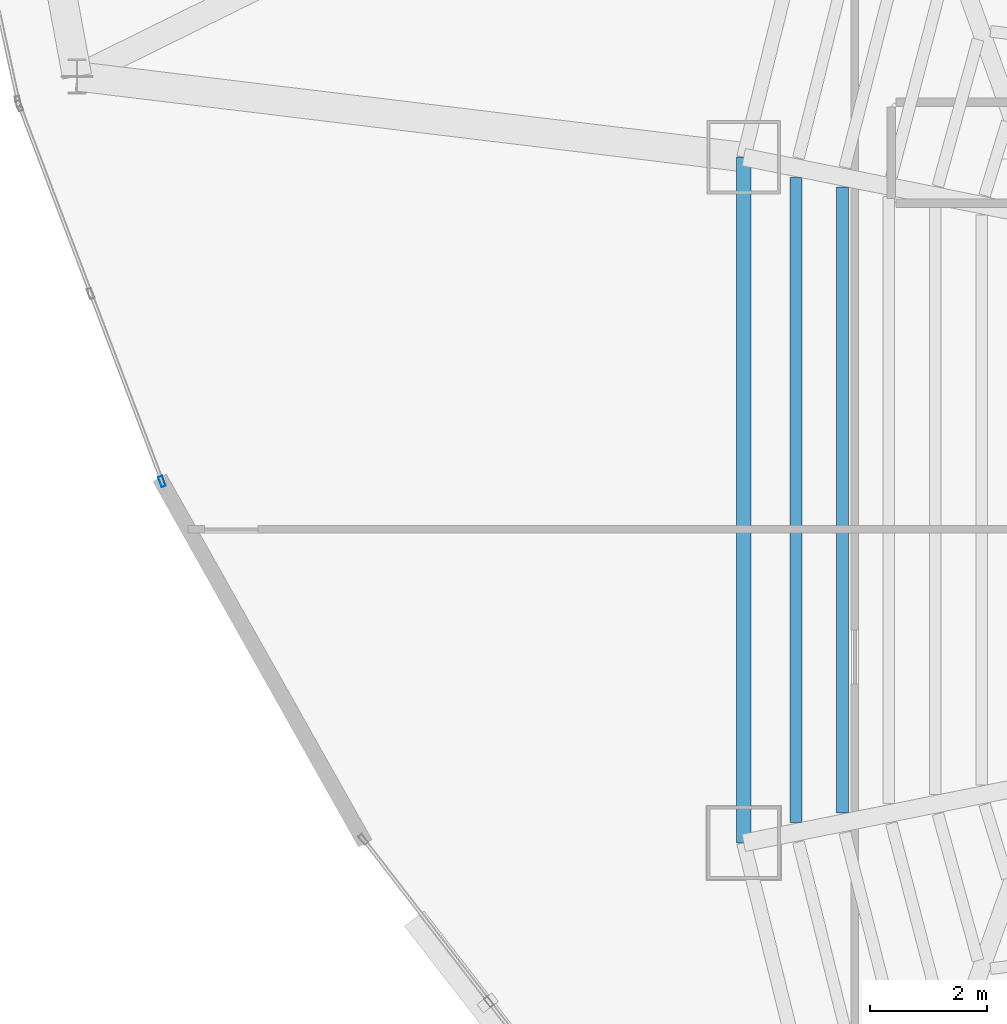
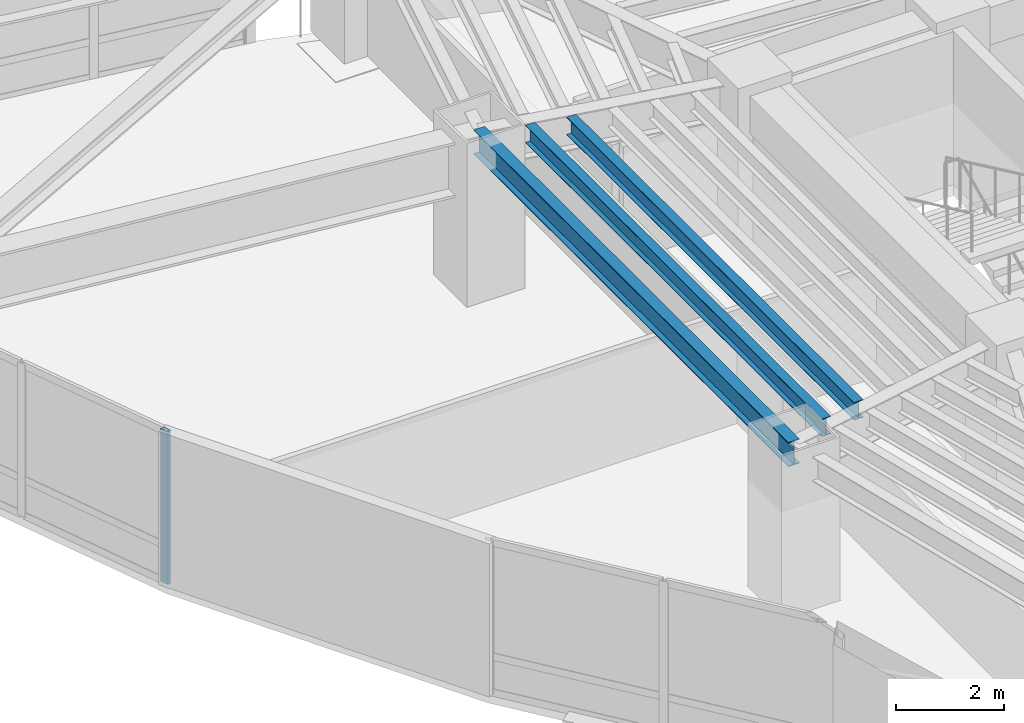
# One storey, part 4 of 23: 3 beams, 1 member, 1 element without a shape of its own.
"""IFC4 building model written with IfcOpenShell, lengths in metres."""

from ifc_helpers import new_model, si_unit, direction, frame, origin, origin_2d, place, context, subcontext, project, spatial, hollow_rectangle, i_section, extrude, material, layer, layer_set, material_profile, profile_set, type_object, element, aggregate, save


model = new_model("IFC4")

# Units and contexts
model_context = context("Model", 3, precision=1e-05, world=origin(), true_north=direction((0.0, 1.0)))
body_context = subcontext(model_context, "Body", "Model", "MODEL_VIEW")
ifc_project = project(units=[si_unit("LENGTHUNIT", "METRE"), si_unit("AREAUNIT", "SQUARE_METRE"), si_unit("VOLUMEUNIT", "CUBIC_METRE"), si_unit("PLANEANGLEUNIT", "RADIAN"), si_unit("MASSUNIT", "GRAM", prefix="KILO")], contexts=[model_context])

# Site, building, storey
site_placement = place(None, origin())
site = spatial("IfcSite", under=ifc_project, at=site_placement, CompositionType="ELEMENT")
building_placement = place(site_placement, origin())
building = spatial("IfcBuilding", under=site, at=building_placement, Name="Menara Vayukalpa", CompositionType="ELEMENT")
storey_placement = place(building_placement, frame((0.0, 0.0, 107.699951171875)))
storey = spatial("IfcBuildingStorey", under=building, at=storey_placement, Name="L26", CompositionType="ELEMENT", Elevation=107.699951171875)

# Beams
ifc_material_1 = material(Name="Steel S355", Category="steel")
ifc_material_profile_1 = material_profile(ifc_material_1, i_section(OverallWidth=0.199951171875, OverallDepth=0.39990234375, WebThickness=0.008056640625, FlangeThickness=0.012939453125, at=origin_2d()), Name="WF 400x200x8x13")
ifc_profile_set_1 = profile_set([ifc_material_profile_1], Name="Steel S355")
beam_type_1 = type_object("IfcBeamType", Name="BM-SJ2", PredefinedType="JOIST", material=ifc_profile_set_1)
beam_1_placement = place(storey_placement, frame((14.2890625, 27.3369140625, 3.27001953125), z_axis=(0.0, -1.0, 0.0), x_axis=(1.0, 0.0, 0.0)))
element("IfcBeam", 1, at=beam_1_placement, inside=storey, type_object=beam_type_1, Name="L26 Secondary Floor Joist SJ05-4", PredefinedType="JOIST", context=body_context, shape_type="SweptSolid", body=[
    extrude(i_section(OverallWidth=0.199951171875, OverallDepth=0.39990234375, WebThickness=0.008056640625, FlangeThickness=0.012939453125, at=origin_2d()), origin(), (0.0, 0.0, 1.0), 10.673828125),
])
beam_2_placement = place(storey_placement, frame((13.497314453125, 27.496337890625, 3.27001953125), z_axis=(0.0, -1.0, 0.0), x_axis=(1.0, 0.0, 0.0)))
element("IfcBeam", 2, at=beam_2_placement, inside=storey, type_object=beam_type_1, Name="L26 Secondary Floor Joist SJ05-5", PredefinedType="JOIST", context=body_context, shape_type="SweptSolid", body=[
    extrude(i_section(OverallWidth=0.199951171875, OverallDepth=0.39990234375, WebThickness=0.008056640625, FlangeThickness=0.012939453125, at=origin_2d()), origin(), (0.0, 0.0, 1.0), 10.99267578125),
])
ifc_material_2 = material(Name="Steel S355", Category="steel")
ifc_material_profile_2 = material_profile(ifc_material_2, i_section(OverallWidth=0.239990234375, OverallDepth=0.550048828125, WebThickness=0.010986328125, FlangeThickness=0.01904296875, at=origin_2d()), Name="WF 550x240x11x19")
ifc_profile_set_2 = profile_set([ifc_material_profile_2], Name="Steel S355")
beam_type_2 = type_object("IfcBeamType", Name="BM-SP2", PredefinedType="SPANDREL", material=ifc_profile_set_2)
beam_3_placement = place(storey_placement, frame((12.606689453125, 27.845703125, 3.195068359375), z_axis=(0.0, -1.0, 0.0), x_axis=(1.0, 0.0, 0.0)))
element("IfcBeam", 3, at=beam_3_placement, inside=storey, type_object=beam_type_2, Name="L26 Perimeter Spandrel Beam SP05", PredefinedType="SPANDREL", context=body_context, shape_type="SweptSolid", body=[
    extrude(i_section(OverallWidth=0.239990234375, OverallDepth=0.550048828125, WebThickness=0.010986328125, FlangeThickness=0.01904296875, at=origin_2d()), origin(), (0.0, 0.0, 1.0), 11.69140625),
])

# Curtain wall, member
ifc_material_3 = material(Name="Anodised Terracotta Aluminium Alloy 6063-T6", Category="masonry")
ifc_layer = layer(ifc_material_3, 0.179931640625)
ifc_layer_set = layer_set([ifc_layer], Name="Anodised Terracotta Aluminium Alloy 6063-T6")
curtain_wall_type = type_object("IfcCurtainWallType", Name="CW-CW4", PredefinedType="USERDEFINED", material=ifc_layer_set)
curtain_wall_placement = place(storey_placement, origin())
curtain_wall = element("IfcCurtainWall", 4, at=curtain_wall_placement, inside=storey, type_object=curtain_wall_type, Name="L26 Sky Bar Cantilever Glazed Curtain Wall CW4 11", ObjectType="UNITISED", PredefinedType="USERDEFINED")
ifc_material_4 = material(Name="Anodised Terracotta Aluminium Alloy 6063-T6", Category="masonry")
ifc_material_profile_3 = material_profile(ifc_material_4, hollow_rectangle(XDim=0.074951171875, YDim=0.179931640625, WallThickness=0.00390625, at=origin_2d()), Name="ALU 75x180x4")
ifc_profile_set_3 = profile_set([ifc_material_profile_3], Name="Anodised Terracotta Aluminium Alloy 6063-T6")
member_type = type_object("IfcMemberType", Name="CWM-CW4", PredefinedType="MULLION", material=ifc_profile_set_3)
member_placement = place(storey_placement, frame((2.6875, 22.315673828125, 0.0), z_axis=(0.0, 0.0, 1.0), x_axis=(0.934964177732, 0.354742140657, 0.0)))
member = element("IfcMember", 5, at=member_placement, type_object=member_type, Name="CW4 mullion 3", PredefinedType="MULLION", context=body_context, shape_type="SweptSolid", body=[
    extrude(hollow_rectangle(XDim=0.074951171875, YDim=0.179931640625, WallThickness=0.00390625, at=origin_2d()), origin(), (0.0, 0.0, 1.0), 3.469970703125),
])
aggregate(curtain_wall, [member])

save(model, "model.ifc")
